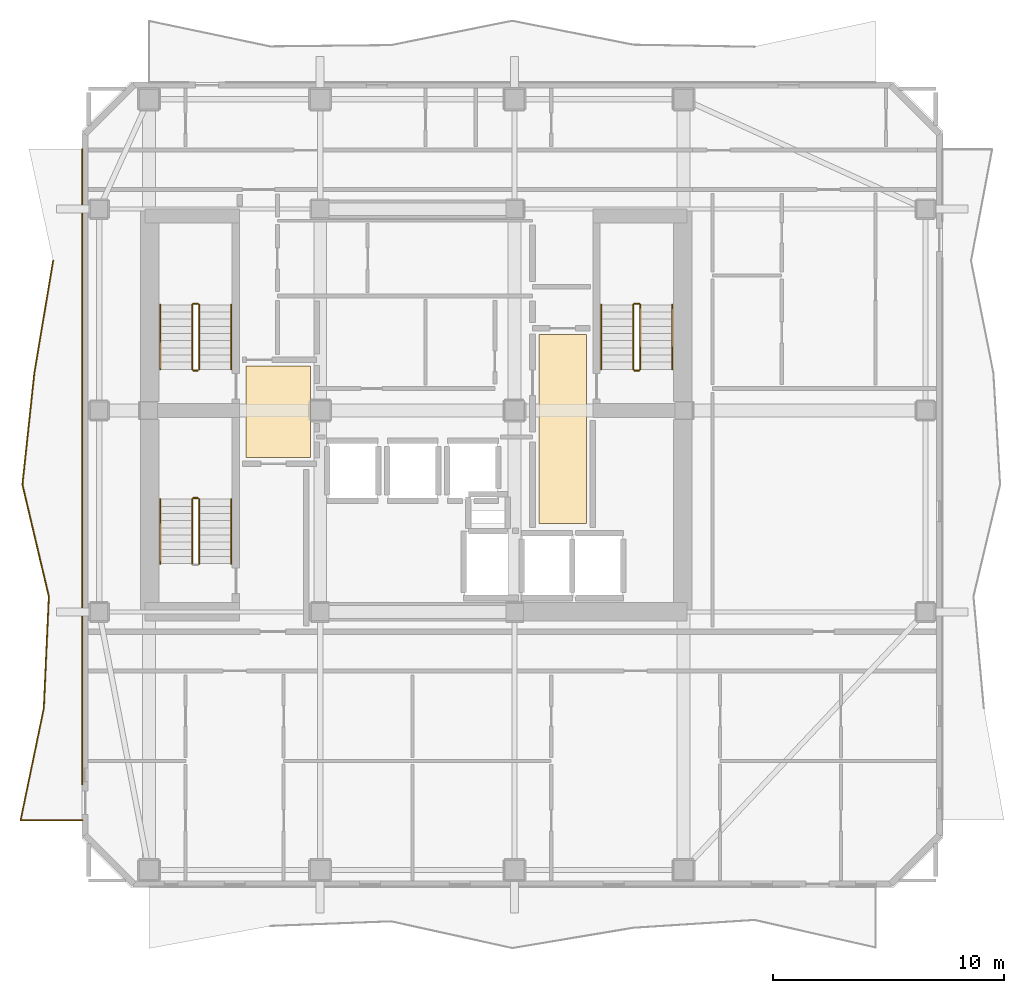
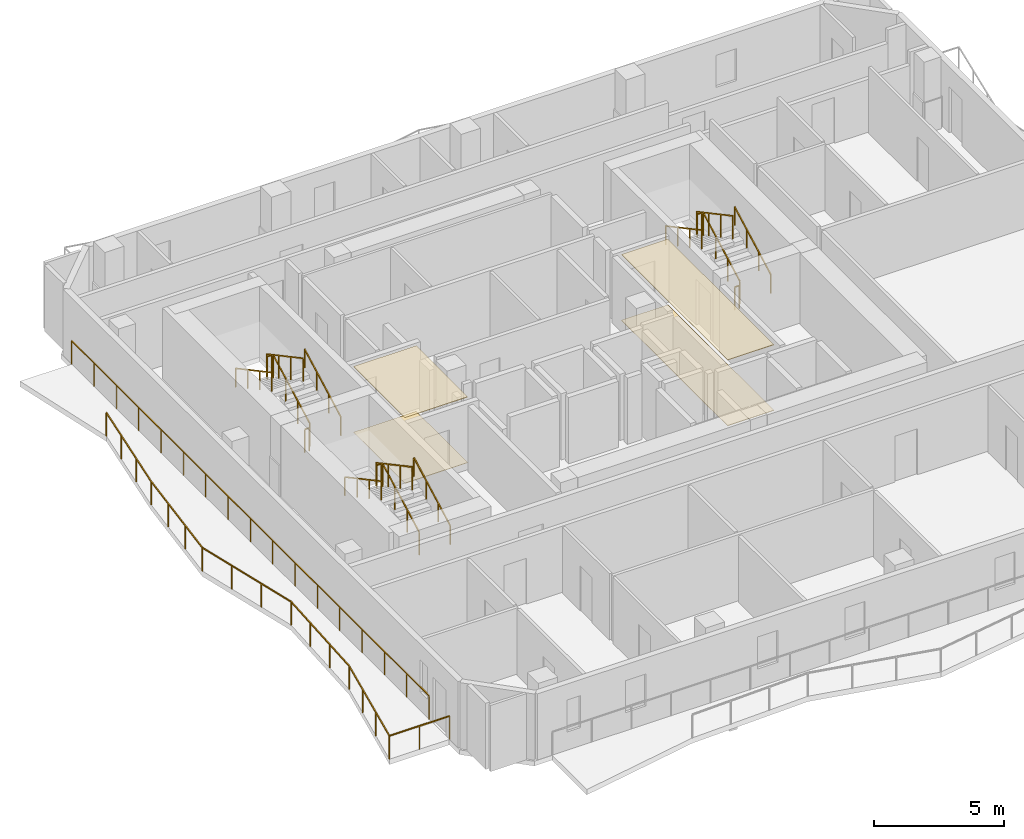
# One storey, part 8 of 9: 19 railings, 4 coverings.
"""IFC4 building model written with IfcOpenShell, lengths in metres."""

from ifc_helpers import new_model, si_unit, direction, frame, origin, origin_2d, place, context, subcontext, project, spatial, polyline, rectangle, outline, extrude, material, layer, layer_set, type_object, element, save


model = new_model("IFC4")

# Units and contexts
model_context = context("Model", 3, precision=1e-05, world=origin(), true_north=direction((0.0, 1.0)))
body_context = subcontext(model_context, "Body", "Model", "MODEL_VIEW")
ifc_project = project(units=[si_unit("LENGTHUNIT", "METRE"), si_unit("AREAUNIT", "SQUARE_METRE"), si_unit("VOLUMEUNIT", "CUBIC_METRE"), si_unit("PLANEANGLEUNIT", "RADIAN"), si_unit("MASSUNIT", "GRAM", prefix="KILO")], contexts=[model_context])

# Site, building, storey
site_placement = place(None, origin())
site = spatial("IfcSite", under=ifc_project, at=site_placement, CompositionType="ELEMENT")
building_placement = place(site_placement, origin())
building = spatial("IfcBuilding", under=site, at=building_placement, Name="Solanera Arch Residences", CompositionType="ELEMENT")
storey_placement = place(building_placement, frame((0.0, 0.0, 220.0400390625)))
storey = spatial("IfcBuildingStorey", under=building, at=storey_placement, Name="L64", CompositionType="ELEMENT", Elevation=220.0400390625)

# Railings
ifc_material_1 = material(Name="Steel S355 (ASTM A992 / A572 Grade 50)", Category="steel")
railing_type_1 = type_object("IfcRailingType", Name="Balustrade Railing BL-1100", PredefinedType="BALUSTRADE", material=ifc_material_1)
railing_1_placement = place(storey_placement, frame((9.260009765625, 37.1669921875, 0.0)))
element("IfcRailing", 1, at=railing_1_placement, inside=storey, type_object=railing_type_1, Name="L64 W Balcony Balustrade 1", PredefinedType="BALUSTRADE", context=body_context, shape_type="SweptSolid", body=[
    extrude(rectangle(XDim=0.048095703125, YDim=0.048095703125, at=origin_2d()), frame((0.0, 0.0, 1.09619140625), z_axis=(-0.165465070353, -0.986215651109, 0.0), x_axis=(0.986215651109, -0.165465070353, 0.0)), (0.0, 0.0, 1.0), 4.901611328125),
    extrude(rectangle(XDim=0.048095703125, YDim=0.048095703125, at=origin_2d()), frame((-0.81103515625, -4.833984375, 1.09619140625), z_axis=(-0.106384146857, -0.994325104429, 0.0), x_axis=(0.994325104429, -0.106384146857, 0.0)), (0.0, 0.0, 1.0), 4.860595703125),
    extrude(rectangle(XDim=0.048095703125, YDim=0.048095703125, at=origin_2d()), frame((-1.328125, -9.6669921875, 1.09619140625), z_axis=(0.230162585951, -0.973152189551, 0.0), x_axis=(0.973152189551, 0.230162585951, 0.0)), (0.0, 0.0, 1.0), 4.96630859375),
    extrude(rectangle(XDim=0.048095703125, YDim=0.048095703125, at=origin_2d()), frame((-0.18505859375, -14.5, 1.09619140625), z_axis=(-0.045055209953, -0.998984498406, 0.0), x_axis=(0.998984498406, -0.045055209953, 0.0)), (0.0, 0.0, 1.0), 4.8388671875),
    extrude(rectangle(XDim=0.048095703125, YDim=0.048095703125, at=origin_2d()), frame((-0.403076171875, -19.333984375, 1.09619140625), z_axis=(-0.203187826474, -0.97913977918, 0.0), x_axis=(0.97913977918, -0.203187826474, 0.0)), (0.0, 0.0, 1.0), 4.93603515625),
    extrude(rectangle(XDim=0.048095703125, YDim=0.048095703125, at=origin_2d()), frame((-1.406005859375, -24.1669921875, 1.09619140625), z_axis=(1.0, 0.0, 0.0), x_axis=(0.0, 1.0, 0.0)), (0.0, 0.0, 1.0), 2.666015625),
    extrude(rectangle(XDim=0.0419921875, YDim=0.0419921875, at=origin_2d()), origin(), (0.0, 0.0, 1.0), 1.072021484375),
    extrude(rectangle(XDim=0.0419921875, YDim=0.0419921875, at=origin_2d()), frame((-0.270263671875, -1.611328125, 0.0)), (0.0, 0.0, 1.0), 1.072021484375),
    extrude(rectangle(XDim=0.0419921875, YDim=0.0419921875, at=origin_2d()), frame((-0.540771484375, -3.22265625, 0.0)), (0.0, 0.0, 1.0), 1.072021484375),
    extrude(rectangle(XDim=0.0419921875, YDim=0.0419921875, at=origin_2d()), frame((-0.81103515625, -4.833984375, 0.0)), (0.0, 0.0, 1.0), 1.072021484375),
    extrude(rectangle(XDim=0.0419921875, YDim=0.0419921875, at=origin_2d()), frame((-0.9833984375, -6.445068359375, 0.0)), (0.0, 0.0, 1.0), 1.072021484375),
    extrude(rectangle(XDim=0.0419921875, YDim=0.0419921875, at=origin_2d()), frame((-1.15576171875, -8.055908203125, 0.0)), (0.0, 0.0, 1.0), 1.072021484375),
    extrude(rectangle(XDim=0.0419921875, YDim=0.0419921875, at=origin_2d()), frame((-1.328125, -9.6669921875, 0.0)), (0.0, 0.0, 1.0), 1.072021484375),
    extrude(rectangle(XDim=0.0419921875, YDim=0.0419921875, at=origin_2d()), frame((-0.947021484375, -11.278076171875, 0.0)), (0.0, 0.0, 1.0), 1.072021484375),
    extrude(rectangle(XDim=0.0419921875, YDim=0.0419921875, at=origin_2d()), frame((-0.566162109375, -12.888916015625, 0.0)), (0.0, 0.0, 1.0), 1.072021484375),
    extrude(rectangle(XDim=0.0419921875, YDim=0.0419921875, at=origin_2d()), frame((-0.18505859375, -14.5, 0.0)), (0.0, 0.0, 1.0), 1.072021484375),
    extrude(rectangle(XDim=0.0419921875, YDim=0.0419921875, at=origin_2d()), frame((-0.2578125, -16.111328125, 0.0)), (0.0, 0.0, 1.0), 1.072021484375),
    extrude(rectangle(XDim=0.0419921875, YDim=0.0419921875, at=origin_2d()), frame((-0.330322265625, -17.72265625, 0.0)), (0.0, 0.0, 1.0), 1.072021484375),
    extrude(rectangle(XDim=0.0419921875, YDim=0.0419921875, at=origin_2d()), frame((-0.403076171875, -19.333984375, 0.0)), (0.0, 0.0, 1.0), 1.072021484375),
    extrude(rectangle(XDim=0.0419921875, YDim=0.0419921875, at=origin_2d()), frame((-0.7373046875, -20.945068359375, 0.0)), (0.0, 0.0, 1.0), 1.072021484375),
    extrude(rectangle(XDim=0.0419921875, YDim=0.0419921875, at=origin_2d()), frame((-1.07177734375, -22.555908203125, 0.0)), (0.0, 0.0, 1.0), 1.072021484375),
    extrude(rectangle(XDim=0.0419921875, YDim=0.0419921875, at=origin_2d()), frame((-1.406005859375, -24.1669921875, 0.0)), (0.0, 0.0, 1.0), 1.072021484375),
    extrude(rectangle(XDim=0.0419921875, YDim=0.0419921875, at=origin_2d()), frame((-0.072998046875, -24.1669921875, 0.0)), (0.0, 0.0, 1.0), 1.072021484375),
    extrude(rectangle(XDim=0.0419921875, YDim=0.0419921875, at=origin_2d()), frame((1.260009765625, -24.1669921875, 0.0)), (0.0, 0.0, 1.0), 1.072021484375),
])
railing_2_placement = place(storey_placement, frame((10.52001953125, 14.554931640625, 0.0)))
element("IfcRailing", 2, at=railing_2_placement, inside=storey, type_object=railing_type_1, Name="L64 W Balcony Balustrade 2", PredefinedType="BALUSTRADE", context=body_context, shape_type="SweptSolid", body=[
    extrude(rectangle(XDim=0.048095703125, YDim=0.048095703125, at=origin_2d()), frame((0.0, 0.0, 1.09619140625), z_axis=(0.0, 1.0, 0.0), x_axis=(-1.0, 0.0, 0.0)), (0.0, 0.0, 1.0), 27.445068359375),
    extrude(rectangle(XDim=0.0419921875, YDim=0.0419921875, at=origin_2d()), origin(), (0.0, 0.0, 1.0), 1.072021484375),
    extrude(rectangle(XDim=0.0419921875, YDim=0.0419921875, at=origin_2d()), frame((0.0, 1.71533203125, 0.0)), (0.0, 0.0, 1.0), 1.072021484375),
    extrude(rectangle(XDim=0.0419921875, YDim=0.0419921875, at=origin_2d()), frame((0.0, 3.4306640625, 0.0)), (0.0, 0.0, 1.0), 1.072021484375),
    extrude(rectangle(XDim=0.0419921875, YDim=0.0419921875, at=origin_2d()), frame((0.0, 5.14599609375, 0.0)), (0.0, 0.0, 1.0), 1.072021484375),
    extrude(rectangle(XDim=0.0419921875, YDim=0.0419921875, at=origin_2d()), frame((0.0, 6.861328125, 0.0)), (0.0, 0.0, 1.0), 1.072021484375),
    extrude(rectangle(XDim=0.0419921875, YDim=0.0419921875, at=origin_2d()), frame((0.0, 8.57666015625, 0.0)), (0.0, 0.0, 1.0), 1.072021484375),
    extrude(rectangle(XDim=0.0419921875, YDim=0.0419921875, at=origin_2d()), frame((0.0, 10.2919921875, 0.0)), (0.0, 0.0, 1.0), 1.072021484375),
    extrude(rectangle(XDim=0.0419921875, YDim=0.0419921875, at=origin_2d()), frame((0.0, 12.00732421875, 0.0)), (0.0, 0.0, 1.0), 1.072021484375),
    extrude(rectangle(XDim=0.0419921875, YDim=0.0419921875, at=origin_2d()), frame((0.0, 13.72265625, 0.0)), (0.0, 0.0, 1.0), 1.072021484375),
    extrude(rectangle(XDim=0.0419921875, YDim=0.0419921875, at=origin_2d()), frame((0.0, 15.437744140625, 0.0)), (0.0, 0.0, 1.0), 1.072021484375),
    extrude(rectangle(XDim=0.0419921875, YDim=0.0419921875, at=origin_2d()), frame((0.0, 17.153076171875, 0.0)), (0.0, 0.0, 1.0), 1.072021484375),
    extrude(rectangle(XDim=0.0419921875, YDim=0.0419921875, at=origin_2d()), frame((0.0, 18.868408203125, 0.0)), (0.0, 0.0, 1.0), 1.072021484375),
    extrude(rectangle(XDim=0.0419921875, YDim=0.0419921875, at=origin_2d()), frame((0.0, 20.583740234375, 0.0)), (0.0, 0.0, 1.0), 1.072021484375),
    extrude(rectangle(XDim=0.0419921875, YDim=0.0419921875, at=origin_2d()), frame((0.0, 22.299072265625, 0.0)), (0.0, 0.0, 1.0), 1.072021484375),
    extrude(rectangle(XDim=0.0419921875, YDim=0.0419921875, at=origin_2d()), frame((0.0, 24.014404296875, 0.0)), (0.0, 0.0, 1.0), 1.072021484375),
    extrude(rectangle(XDim=0.0419921875, YDim=0.0419921875, at=origin_2d()), frame((0.0, 25.729736328125, 0.0)), (0.0, 0.0, 1.0), 1.072021484375),
    extrude(rectangle(XDim=0.0419921875, YDim=0.0419921875, at=origin_2d()), frame((0.0, 27.445068359375, 0.0)), (0.0, 0.0, 1.0), 1.072021484375),
])

# Coverings
ifc_material_2 = material(Name="Porcelain Acoustic Floor Tile", Category="ceramic")
ifc_layer_1 = layer(ifc_material_2, 0.02001953125)
ifc_layer_set_1 = layer_set([ifc_layer_1], Name="Porcelain Acoustic Floor Tile")
covering_type_1 = type_object("IfcCoveringType", Name="Porcelain Acoustic Floor Finish FLR-20", PredefinedType="FLOORING", material=ifc_layer_set_1)
covering_1_placement = place(storey_placement, origin())
element("IfcCovering", 3, at=covering_1_placement, inside=storey, type_object=covering_type_1, Name="L64-FFL-W Porcelain Floor Finish", PredefinedType="FLOORING", context=body_context, shape_type="SweptSolid", body=[
    extrude(outline(polyline([(20.375, 28.675048828125), (17.594970703125, 28.675048828125), (17.594970703125, 32.625), (20.375, 32.625), (20.375, 28.675048828125)])), origin(), (0.0, 0.0, 1.0), 0.02001953125),
])
covering_2_placement = place(storey_placement, origin())
element("IfcCovering", 4, at=covering_2_placement, inside=storey, type_object=covering_type_1, Name="L64-FFL-E Porcelain Floor Finish", PredefinedType="FLOORING", context=body_context, shape_type="SweptSolid", body=[
    extrude(outline(polyline([(32.304931640625, 25.824951171875), (30.25, 25.824951171875), (30.25, 33.97509765625), (32.304931640625, 33.97509765625), (32.304931640625, 25.824951171875)])), origin(), (0.0, 0.0, 1.0), 0.02001953125),
])

# Railings
ifc_material_3 = material(Name="Steel S355 (ASTM A992 / A572 Grade 50)", Category="steel")
railing_type_2 = type_object("IfcRailingType", Name="Stair Guardrail GR-1100", PredefinedType="GUARDRAIL", material=ifc_material_3)
railing_3_placement = place(storey_placement, frame((15.570068359375, 32.47998046875, 0.15087890625)))
element("IfcRailing", 5, at=railing_3_placement, inside=storey, type_object=railing_type_2, Name="L64 ST-T1 stair guard 1", PredefinedType="GUARDRAIL", context=body_context, shape_type="SweptSolid", body=[
    extrude(rectangle(XDim=0.048095703125, YDim=0.048095703125, at=origin_2d()), frame((0.0, 0.0, 1.076171875), z_axis=(0.0, 0.881548766853, 0.472092969298), x_axis=(-1.0, 0.0, 0.0)), (0.0, 0.0, 1.0), 3.1650390625),
    extrude(rectangle(XDim=0.0419921875, YDim=0.0419921875, at=origin_2d()), origin(), (0.0, 0.0, 1.0), 1.052001953125),
    extrude(rectangle(XDim=0.0419921875, YDim=0.0419921875, at=origin_2d()), frame((0.0, 0.929931640625, 0.498046875)), (0.0, 0.0, 1.0), 1.052001953125),
    extrude(rectangle(XDim=0.0419921875, YDim=0.0419921875, at=origin_2d()), frame((0.0, 1.860107421875, 0.99609375)), (0.0, 0.0, 1.0), 1.052001953125),
    extrude(rectangle(XDim=0.0419921875, YDim=0.0419921875, at=origin_2d()), frame((0.0, 2.7900390625, 1.494140625)), (0.0, 0.0, 1.0), 1.052001953125),
])
railing_4_placement = place(storey_placement, frame((15.52001953125, 35.320068359375, 1.64501953125)))
element("IfcRailing", 6, at=railing_4_placement, inside=storey, type_object=railing_type_2, Name="L64 ST-T1 stair guard 2", PredefinedType="GUARDRAIL", context=body_context, shape_type="SweptSolid", body=[
    extrude(rectangle(XDim=0.048095703125, YDim=0.048095703125, at=origin_2d()), frame((0.0, 0.0, 1.076171875), z_axis=(-1.0, 0.0, 0.0), x_axis=(0.0, -1.0, 0.0)), (0.0, 0.0, 1.0), 0.199951171875),
    extrude(rectangle(XDim=0.0419921875, YDim=0.0419921875, at=origin_2d()), origin(), (0.0, 0.0, 1.0), 1.052001953125),
    extrude(rectangle(XDim=0.0419921875, YDim=0.0419921875, at=origin_2d()), frame((-0.199951171875, 0.0, 0.0)), (0.0, 0.0, 1.0), 1.052001953125),
])
railing_5_placement = place(storey_placement, frame((15.27001953125, 35.27001953125, 1.81103515625)))
element("IfcRailing", 7, at=railing_5_placement, inside=storey, type_object=railing_type_2, Name="L64 ST-T1 stair guard 3", PredefinedType="GUARDRAIL", context=body_context, shape_type="SweptSolid", body=[
    extrude(rectangle(XDim=0.048095703125, YDim=0.048095703125, at=origin_2d()), frame((0.0, 0.0, 1.076171875), z_axis=(0.0, -0.881580869306, 0.472033018838), x_axis=(1.0, 0.0, 0.0)), (0.0, 0.0, 1.0), 3.164794921875),
    extrude(rectangle(XDim=0.0419921875, YDim=0.0419921875, at=origin_2d()), origin(), (0.0, 0.0, 1.0), 1.052001953125),
    extrude(rectangle(XDim=0.0419921875, YDim=0.0419921875, at=origin_2d()), frame((0.0, -0.929931640625, 0.498046875)), (0.0, 0.0, 1.0), 1.052001953125),
    extrude(rectangle(XDim=0.0419921875, YDim=0.0419921875, at=origin_2d()), frame((0.0, -1.860107421875, 0.995849609375)), (0.0, 0.0, 1.0), 1.052001953125),
    extrude(rectangle(XDim=0.0419921875, YDim=0.0419921875, at=origin_2d()), frame((0.0, -2.7900390625, 1.493896484375)), (0.0, 0.0, 1.0), 1.052001953125),
])
railing_6_placement = place(storey_placement, frame((15.52001953125, 32.429931640625, -0.01513671875)))
element("IfcRailing", 8, at=railing_6_placement, inside=storey, type_object=railing_type_2, Name="L64 ST-T1 stair guard 4", PredefinedType="GUARDRAIL", context=body_context, shape_type="SweptSolid", body=[
    extrude(rectangle(XDim=0.048095703125, YDim=0.048095703125, at=origin_2d()), frame((0.0, 0.0, 1.076171875), z_axis=(-1.0, 0.0, 0.0), x_axis=(0.0, -1.0, 0.0)), (0.0, 0.0, 1.0), 0.199951171875),
    extrude(rectangle(XDim=0.0419921875, YDim=0.0419921875, at=origin_2d()), origin(), (0.0, 0.0, 1.0), 1.052001953125),
    extrude(rectangle(XDim=0.0419921875, YDim=0.0419921875, at=origin_2d()), frame((-0.199951171875, 0.0, 0.0)), (0.0, 0.0, 1.0), 1.052001953125),
])
railing_7_placement = place(storey_placement, frame((34.6298828125, 32.47998046875, 0.15087890625)))
element("IfcRailing", 9, at=railing_7_placement, inside=storey, type_object=railing_type_2, Name="L64 ST-T2 stair guard 1", PredefinedType="GUARDRAIL", context=body_context, shape_type="SweptSolid", body=[
    extrude(rectangle(XDim=0.048095703125, YDim=0.048095703125, at=origin_2d()), frame((0.0, 0.0, 1.076171875), z_axis=(0.0, 0.881548766853, 0.472092969298), x_axis=(-1.0, 0.0, 0.0)), (0.0, 0.0, 1.0), 3.1650390625),
    extrude(rectangle(XDim=0.0419921875, YDim=0.0419921875, at=origin_2d()), origin(), (0.0, 0.0, 1.0), 1.052001953125),
    extrude(rectangle(XDim=0.0419921875, YDim=0.0419921875, at=origin_2d()), frame((0.0, 0.929931640625, 0.498046875)), (0.0, 0.0, 1.0), 1.052001953125),
    extrude(rectangle(XDim=0.0419921875, YDim=0.0419921875, at=origin_2d()), frame((0.0, 1.860107421875, 0.99609375)), (0.0, 0.0, 1.0), 1.052001953125),
    extrude(rectangle(XDim=0.0419921875, YDim=0.0419921875, at=origin_2d()), frame((0.0, 2.7900390625, 1.494140625)), (0.0, 0.0, 1.0), 1.052001953125),
])
railing_8_placement = place(storey_placement, frame((34.580078125, 35.320068359375, 1.64501953125)))
element("IfcRailing", 10, at=railing_8_placement, inside=storey, type_object=railing_type_2, Name="L64 ST-T2 stair guard 2", PredefinedType="GUARDRAIL", context=body_context, shape_type="SweptSolid", body=[
    extrude(rectangle(XDim=0.048095703125, YDim=0.048095703125, at=origin_2d()), frame((0.0, 0.0, 1.076171875), z_axis=(-1.0, 0.0, 0.0), x_axis=(0.0, -1.0, 0.0)), (0.0, 0.0, 1.0), 0.2001953125),
    extrude(rectangle(XDim=0.0419921875, YDim=0.0419921875, at=origin_2d()), origin(), (0.0, 0.0, 1.0), 1.052001953125),
    extrude(rectangle(XDim=0.0419921875, YDim=0.0419921875, at=origin_2d()), frame((-0.2001953125, 0.0, 0.0)), (0.0, 0.0, 1.0), 1.052001953125),
])
railing_9_placement = place(storey_placement, frame((34.330078125, 35.27001953125, 1.81103515625)))
element("IfcRailing", 11, at=railing_9_placement, inside=storey, type_object=railing_type_2, Name="L64 ST-T2 stair guard 3", PredefinedType="GUARDRAIL", context=body_context, shape_type="SweptSolid", body=[
    extrude(rectangle(XDim=0.048095703125, YDim=0.048095703125, at=origin_2d()), frame((0.0, 0.0, 1.076171875), z_axis=(0.0, -0.881580869306, 0.472033018838), x_axis=(1.0, 0.0, 0.0)), (0.0, 0.0, 1.0), 3.164794921875),
    extrude(rectangle(XDim=0.0419921875, YDim=0.0419921875, at=origin_2d()), origin(), (0.0, 0.0, 1.0), 1.052001953125),
    extrude(rectangle(XDim=0.0419921875, YDim=0.0419921875, at=origin_2d()), frame((0.0, -0.929931640625, 0.498046875)), (0.0, 0.0, 1.0), 1.052001953125),
    extrude(rectangle(XDim=0.0419921875, YDim=0.0419921875, at=origin_2d()), frame((0.0, -1.860107421875, 0.995849609375)), (0.0, 0.0, 1.0), 1.052001953125),
    extrude(rectangle(XDim=0.0419921875, YDim=0.0419921875, at=origin_2d()), frame((0.0, -2.7900390625, 1.493896484375)), (0.0, 0.0, 1.0), 1.052001953125),
])
railing_10_placement = place(storey_placement, frame((34.580078125, 32.429931640625, -0.01513671875)))
element("IfcRailing", 12, at=railing_10_placement, inside=storey, type_object=railing_type_2, Name="L64 ST-T2 stair guard 4", PredefinedType="GUARDRAIL", context=body_context, shape_type="SweptSolid", body=[
    extrude(rectangle(XDim=0.048095703125, YDim=0.048095703125, at=origin_2d()), frame((0.0, 0.0, 1.076171875), z_axis=(-1.0, 0.0, 0.0), x_axis=(0.0, -1.0, 0.0)), (0.0, 0.0, 1.0), 0.2001953125),
    extrude(rectangle(XDim=0.0419921875, YDim=0.0419921875, at=origin_2d()), origin(), (0.0, 0.0, 1.0), 1.052001953125),
    extrude(rectangle(XDim=0.0419921875, YDim=0.0419921875, at=origin_2d()), frame((-0.2001953125, 0.0, 0.0)), (0.0, 0.0, 1.0), 1.052001953125),
])
railing_11_placement = place(storey_placement, frame((15.570068359375, 24.080078125, 0.15087890625)))
element("IfcRailing", 13, at=railing_11_placement, inside=storey, type_object=railing_type_2, Name="L64 ST-T3 stair guard 1", PredefinedType="GUARDRAIL", context=body_context, shape_type="SweptSolid", body=[
    extrude(rectangle(XDim=0.048095703125, YDim=0.048095703125, at=origin_2d()), frame((0.0, 0.0, 1.076171875), z_axis=(0.0, 0.881548766853, 0.472092969298), x_axis=(-1.0, 0.0, 0.0)), (0.0, 0.0, 1.0), 3.1650390625),
    extrude(rectangle(XDim=0.0419921875, YDim=0.0419921875, at=origin_2d()), origin(), (0.0, 0.0, 1.0), 1.052001953125),
    extrude(rectangle(XDim=0.0419921875, YDim=0.0419921875, at=origin_2d()), frame((0.0, 0.929931640625, 0.498046875)), (0.0, 0.0, 1.0), 1.052001953125),
    extrude(rectangle(XDim=0.0419921875, YDim=0.0419921875, at=origin_2d()), frame((0.0, 1.860107421875, 0.99609375)), (0.0, 0.0, 1.0), 1.052001953125),
    extrude(rectangle(XDim=0.0419921875, YDim=0.0419921875, at=origin_2d()), frame((0.0, 2.7900390625, 1.494140625)), (0.0, 0.0, 1.0), 1.052001953125),
])
railing_12_placement = place(storey_placement, frame((15.52001953125, 26.919921875, 1.64501953125)))
element("IfcRailing", 14, at=railing_12_placement, inside=storey, type_object=railing_type_2, Name="L64 ST-T3 stair guard 2", PredefinedType="GUARDRAIL", context=body_context, shape_type="SweptSolid", body=[
    extrude(rectangle(XDim=0.048095703125, YDim=0.048095703125, at=origin_2d()), frame((0.0, 0.0, 1.076171875), z_axis=(-1.0, 0.0, 0.0), x_axis=(0.0, -1.0, 0.0)), (0.0, 0.0, 1.0), 0.199951171875),
    extrude(rectangle(XDim=0.0419921875, YDim=0.0419921875, at=origin_2d()), origin(), (0.0, 0.0, 1.0), 1.052001953125),
    extrude(rectangle(XDim=0.0419921875, YDim=0.0419921875, at=origin_2d()), frame((-0.199951171875, 0.0, 0.0)), (0.0, 0.0, 1.0), 1.052001953125),
])
railing_13_placement = place(storey_placement, frame((15.27001953125, 26.8701171875, 1.81103515625)))
element("IfcRailing", 15, at=railing_13_placement, inside=storey, type_object=railing_type_2, Name="L64 ST-T3 stair guard 3", PredefinedType="GUARDRAIL", context=body_context, shape_type="SweptSolid", body=[
    extrude(rectangle(XDim=0.048095703125, YDim=0.048095703125, at=origin_2d()), frame((0.0, 0.0, 1.076171875), z_axis=(0.0, -0.881580869306, 0.472033018838), x_axis=(1.0, 0.0, 0.0)), (0.0, 0.0, 1.0), 3.164794921875),
    extrude(rectangle(XDim=0.0419921875, YDim=0.0419921875, at=origin_2d()), origin(), (0.0, 0.0, 1.0), 1.052001953125),
    extrude(rectangle(XDim=0.0419921875, YDim=0.0419921875, at=origin_2d()), frame((0.0, -0.929931640625, 0.498046875)), (0.0, 0.0, 1.0), 1.052001953125),
    extrude(rectangle(XDim=0.0419921875, YDim=0.0419921875, at=origin_2d()), frame((0.0, -1.860107421875, 0.995849609375)), (0.0, 0.0, 1.0), 1.052001953125),
    extrude(rectangle(XDim=0.0419921875, YDim=0.0419921875, at=origin_2d()), frame((0.0, -2.7900390625, 1.493896484375)), (0.0, 0.0, 1.0), 1.052001953125),
])
ifc_material_4 = material(Name="Steel S355 (ASTM A992 / A572 Grade 50)", Category="steel")
railing_type_3 = type_object("IfcRailingType", Name="Stair Wall Handrail HR-920", PredefinedType="HANDRAIL", material=ifc_material_4)
railing_14_placement = place(storey_placement, frame((16.949951171875, 32.47998046875, 0.166015625)))
element("IfcRailing", 16, at=railing_14_placement, inside=storey, type_object=railing_type_3, Name="L64 ST-T1 stair handrail 1", PredefinedType="HANDRAIL", context=body_context, shape_type="SweptSolid", body=[
    extrude(rectangle(XDim=0.048095703125, YDim=0.048095703125, at=origin_2d()), frame((0.0, 0.0, 0.8759765625), z_axis=(0.0, 0.881580869306, 0.472033018838), x_axis=(-1.0, 0.0, 0.0)), (0.0, 0.0, 1.0), 3.164794921875),
    extrude(rectangle(XDim=0.0419921875, YDim=0.0419921875, at=origin_2d()), origin(), (0.0, 0.0, 1.0), 0.851806640625),
    extrude(rectangle(XDim=0.0419921875, YDim=0.0419921875, at=origin_2d()), frame((0.0, 0.929931640625, 0.498046875)), (0.0, 0.0, 1.0), 0.851806640625),
    extrude(rectangle(XDim=0.0419921875, YDim=0.0419921875, at=origin_2d()), frame((0.0, 1.860107421875, 0.995849609375)), (0.0, 0.0, 1.0), 0.851806640625),
    extrude(rectangle(XDim=0.0419921875, YDim=0.0419921875, at=origin_2d()), frame((0.0, 2.7900390625, 1.493896484375)), (0.0, 0.0, 1.0), 0.851806640625),
])
railing_15_placement = place(storey_placement, frame((13.889892578125, 35.27001953125, 1.825927734375)))
element("IfcRailing", 17, at=railing_15_placement, inside=storey, type_object=railing_type_3, Name="L64 ST-T1 stair handrail 2", PredefinedType="HANDRAIL", context=body_context, shape_type="SweptSolid", body=[
    extrude(rectangle(XDim=0.048095703125, YDim=0.048095703125, at=origin_2d()), frame((0.0, 0.0, 0.8759765625), z_axis=(0.0, -0.881548766853, 0.472092969298), x_axis=(1.0, 0.0, 0.0)), (0.0, 0.0, 1.0), 3.1650390625),
    extrude(rectangle(XDim=0.0419921875, YDim=0.0419921875, at=origin_2d()), origin(), (0.0, 0.0, 1.0), 0.851806640625),
    extrude(rectangle(XDim=0.0419921875, YDim=0.0419921875, at=origin_2d()), frame((0.0, -0.929931640625, 0.498046875)), (0.0, 0.0, 1.0), 0.851806640625),
    extrude(rectangle(XDim=0.0419921875, YDim=0.0419921875, at=origin_2d()), frame((0.0, -1.860107421875, 0.99609375)), (0.0, 0.0, 1.0), 0.851806640625),
    extrude(rectangle(XDim=0.0419921875, YDim=0.0419921875, at=origin_2d()), frame((0.0, -2.7900390625, 1.494140625)), (0.0, 0.0, 1.0), 0.851806640625),
])
railing_16_placement = place(storey_placement, frame((36.010009765625, 32.47998046875, 0.166015625)))
element("IfcRailing", 18, at=railing_16_placement, inside=storey, type_object=railing_type_3, Name="L64 ST-T2 stair handrail 1", PredefinedType="HANDRAIL", context=body_context, shape_type="SweptSolid", body=[
    extrude(rectangle(XDim=0.048095703125, YDim=0.048095703125, at=origin_2d()), frame((0.0, 0.0, 0.8759765625), z_axis=(0.0, 0.881580869306, 0.472033018838), x_axis=(-1.0, 0.0, 0.0)), (0.0, 0.0, 1.0), 3.164794921875),
    extrude(rectangle(XDim=0.0419921875, YDim=0.0419921875, at=origin_2d()), origin(), (0.0, 0.0, 1.0), 0.851806640625),
    extrude(rectangle(XDim=0.0419921875, YDim=0.0419921875, at=origin_2d()), frame((0.0, 0.929931640625, 0.498046875)), (0.0, 0.0, 1.0), 0.851806640625),
    extrude(rectangle(XDim=0.0419921875, YDim=0.0419921875, at=origin_2d()), frame((0.0, 1.860107421875, 0.995849609375)), (0.0, 0.0, 1.0), 0.851806640625),
    extrude(rectangle(XDim=0.0419921875, YDim=0.0419921875, at=origin_2d()), frame((0.0, 2.7900390625, 1.493896484375)), (0.0, 0.0, 1.0), 0.851806640625),
])
railing_17_placement = place(storey_placement, frame((32.949951171875, 35.27001953125, 1.825927734375)))
element("IfcRailing", 19, at=railing_17_placement, inside=storey, type_object=railing_type_3, Name="L64 ST-T2 stair handrail 2", PredefinedType="HANDRAIL", context=body_context, shape_type="SweptSolid", body=[
    extrude(rectangle(XDim=0.048095703125, YDim=0.048095703125, at=origin_2d()), frame((0.0, 0.0, 0.8759765625), z_axis=(0.0, -0.881548766853, 0.472092969298), x_axis=(1.0, 0.0, 0.0)), (0.0, 0.0, 1.0), 3.1650390625),
    extrude(rectangle(XDim=0.0419921875, YDim=0.0419921875, at=origin_2d()), origin(), (0.0, 0.0, 1.0), 0.851806640625),
    extrude(rectangle(XDim=0.0419921875, YDim=0.0419921875, at=origin_2d()), frame((0.0, -0.929931640625, 0.498046875)), (0.0, 0.0, 1.0), 0.851806640625),
    extrude(rectangle(XDim=0.0419921875, YDim=0.0419921875, at=origin_2d()), frame((0.0, -1.860107421875, 0.99609375)), (0.0, 0.0, 1.0), 0.851806640625),
    extrude(rectangle(XDim=0.0419921875, YDim=0.0419921875, at=origin_2d()), frame((0.0, -2.7900390625, 1.494140625)), (0.0, 0.0, 1.0), 0.851806640625),
])
railing_18_placement = place(storey_placement, frame((16.949951171875, 24.080078125, 0.166015625)))
element("IfcRailing", 20, at=railing_18_placement, inside=storey, type_object=railing_type_3, Name="L64 ST-T3 stair handrail 1", PredefinedType="HANDRAIL", context=body_context, shape_type="SweptSolid", body=[
    extrude(rectangle(XDim=0.048095703125, YDim=0.048095703125, at=origin_2d()), frame((0.0, 0.0, 0.8759765625), z_axis=(0.0, 0.881580869306, 0.472033018838), x_axis=(-1.0, 0.0, 0.0)), (0.0, 0.0, 1.0), 3.164794921875),
    extrude(rectangle(XDim=0.0419921875, YDim=0.0419921875, at=origin_2d()), origin(), (0.0, 0.0, 1.0), 0.851806640625),
    extrude(rectangle(XDim=0.0419921875, YDim=0.0419921875, at=origin_2d()), frame((0.0, 0.929931640625, 0.498046875)), (0.0, 0.0, 1.0), 0.851806640625),
    extrude(rectangle(XDim=0.0419921875, YDim=0.0419921875, at=origin_2d()), frame((0.0, 1.860107421875, 0.995849609375)), (0.0, 0.0, 1.0), 0.851806640625),
    extrude(rectangle(XDim=0.0419921875, YDim=0.0419921875, at=origin_2d()), frame((0.0, 2.7900390625, 1.493896484375)), (0.0, 0.0, 1.0), 0.851806640625),
])
railing_19_placement = place(storey_placement, frame((13.889892578125, 26.8701171875, 1.825927734375)))
element("IfcRailing", 21, at=railing_19_placement, inside=storey, type_object=railing_type_3, Name="L64 ST-T3 stair handrail 2", PredefinedType="HANDRAIL", context=body_context, shape_type="SweptSolid", body=[
    extrude(rectangle(XDim=0.048095703125, YDim=0.048095703125, at=origin_2d()), frame((0.0, 0.0, 0.8759765625), z_axis=(0.0, -0.881548766853, 0.472092969298), x_axis=(1.0, 0.0, 0.0)), (0.0, 0.0, 1.0), 3.1650390625),
    extrude(rectangle(XDim=0.0419921875, YDim=0.0419921875, at=origin_2d()), origin(), (0.0, 0.0, 1.0), 0.851806640625),
    extrude(rectangle(XDim=0.0419921875, YDim=0.0419921875, at=origin_2d()), frame((0.0, -0.929931640625, 0.498046875)), (0.0, 0.0, 1.0), 0.851806640625),
    extrude(rectangle(XDim=0.0419921875, YDim=0.0419921875, at=origin_2d()), frame((0.0, -1.860107421875, 0.99609375)), (0.0, 0.0, 1.0), 0.851806640625),
    extrude(rectangle(XDim=0.0419921875, YDim=0.0419921875, at=origin_2d()), frame((0.0, -2.7900390625, 1.494140625)), (0.0, 0.0, 1.0), 0.851806640625),
])

# Coverings
ifc_material_5 = material(Name="Mineral Fibre Acoustic Ceiling Board", Category="gypsum")
ifc_layer_2 = layer(ifc_material_5, 0.02490234375)
ifc_layer_set_2 = layer_set([ifc_layer_2], Name="Mineral Fibre Acoustic Ceiling Board")
covering_type_2 = type_object("IfcCoveringType", Name="Suspended Acoustic Ceiling Board CLG-25", PredefinedType="CEILING", material=ifc_layer_set_2)
covering_3_placement = place(storey_placement, frame((0.0, 0.0, 3.074951171875)))
element("IfcCovering", 22, at=covering_3_placement, inside=storey, type_object=covering_type_2, Name="L64-FFL-W Acoustic Ceiling", PredefinedType="CEILING", context=body_context, shape_type="SweptSolid", body=[
    extrude(outline(polyline([(20.375, 28.675048828125), (17.594970703125, 28.675048828125), (17.594970703125, 32.625), (20.375, 32.625), (20.375, 28.675048828125)])), origin(), (0.0, 0.0, 1.0), 0.02490234375),
])
covering_4_placement = place(storey_placement, frame((0.0, 0.0, 3.074951171875)))
element("IfcCovering", 23, at=covering_4_placement, inside=storey, type_object=covering_type_2, Name="L64-FFL-E Acoustic Ceiling", PredefinedType="CEILING", context=body_context, shape_type="SweptSolid", body=[
    extrude(outline(polyline([(32.304931640625, 25.824951171875), (30.25, 25.824951171875), (30.25, 33.97509765625), (32.304931640625, 33.97509765625), (32.304931640625, 25.824951171875)])), origin(), (0.0, 0.0, 1.0), 0.02490234375),
])

save(model, "model.ifc")
